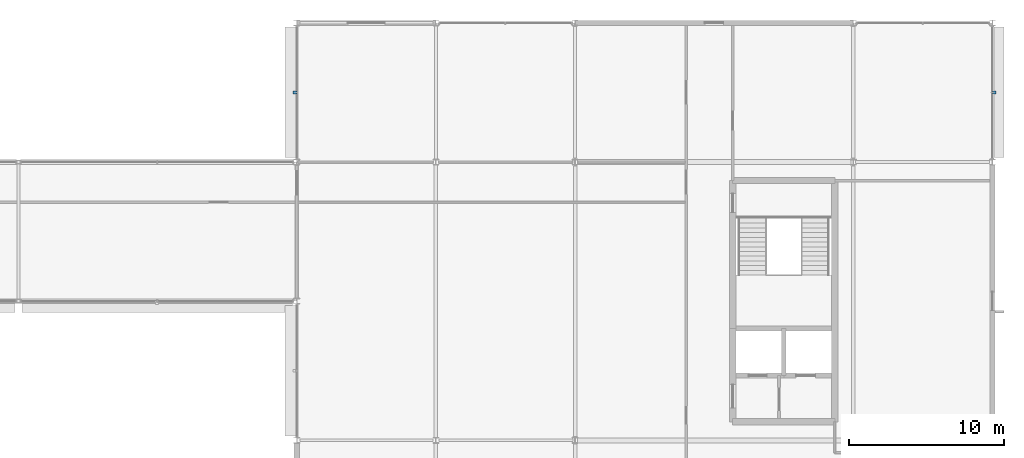
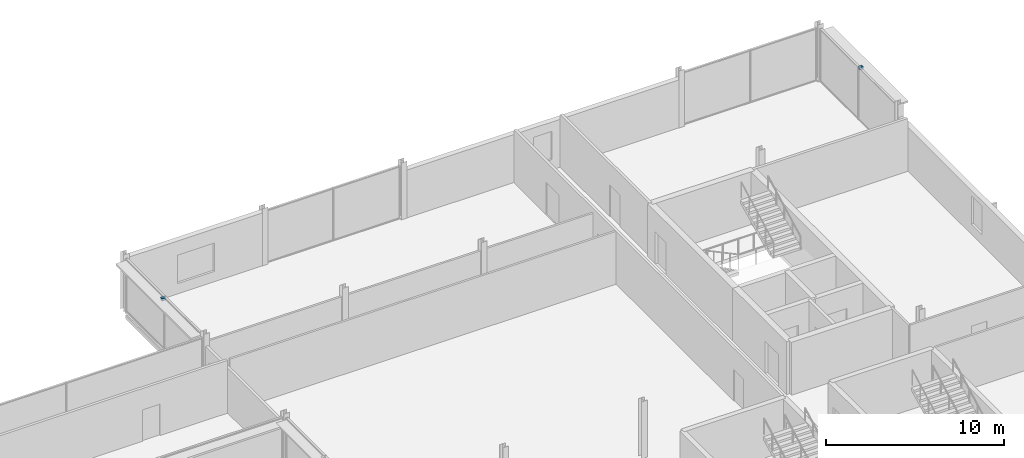
# One storey, part 81 of 98: 2 discrete accessories.
"""IFC4 building model written with IfcOpenShell, lengths in metres."""

from ifc_helpers import new_model, si_unit, direction, frame, origin, origin_2d, place, context, subcontext, project, spatial, rectangle, extrude, material, type_object, element, save


model = new_model("IFC4")

# Units and contexts
model_context = context("Model", 3, precision=1e-05, world=origin(), true_north=direction((0.0, 1.0)))
body_context = subcontext(model_context, "Body", "Model", "MODEL_VIEW")
ifc_project = project(units=[si_unit("LENGTHUNIT", "METRE"), si_unit("AREAUNIT", "SQUARE_METRE"), si_unit("VOLUMEUNIT", "CUBIC_METRE"), si_unit("PLANEANGLEUNIT", "RADIAN"), si_unit("MASSUNIT", "GRAM", prefix="KILO")], contexts=[model_context])

# Site, building, storey
site_placement = place(None, origin())
site = spatial("IfcSite", under=ifc_project, at=site_placement, CompositionType="ELEMENT")
building_placement = place(site_placement, origin())
building = spatial("IfcBuilding", under=site, at=building_placement, Name="Kisiwana Market Hall", CompositionType="ELEMENT")
storey_placement = place(building_placement, frame((0.0, 0.0, 29.39990234375)))
storey = spatial("IfcBuildingStorey", under=building, at=storey_placement, Name="L06", CompositionType="ELEMENT", Elevation=29.39990234375)

# Discrete accessories
ifc_material = material(Name="Steel S355", Category="steel")
discrete_accessory_type = type_object("IfcDiscreteAccessoryType", Name="ACC-BRACKET-STL", PredefinedType="BRACKET", material=ifc_material)
for number, where, z_axis, x_axis, name in (
    (1, (152.889892578125, 106.5, 3.41015625), (0.0, 0.0, 1.0), (0.0, 1.0, 0.0), "Sunshade steel bracket BRK-124"),
    (2, (198.110107421875, 106.5, 3.41015625), (0.0, 0.0, 1.0), (0.0, 1.0, 0.0), "Sunshade steel bracket BRK-125"),
):
    element("IfcDiscreteAccessory", number, at=place(storey_placement, frame(where, z_axis=z_axis, x_axis=x_axis)), inside=storey, type_object=discrete_accessory_type, Name=name, PredefinedType="BRACKET", context=body_context, shape_type="SweptSolid", body=[
        extrude(rectangle(XDim=0.179931640625, YDim=0.239990234375, at=origin_2d()), origin(), (0.0, 0.0, 1.0), 0.179931640625),
    ])

save(model, "model.ifc")
